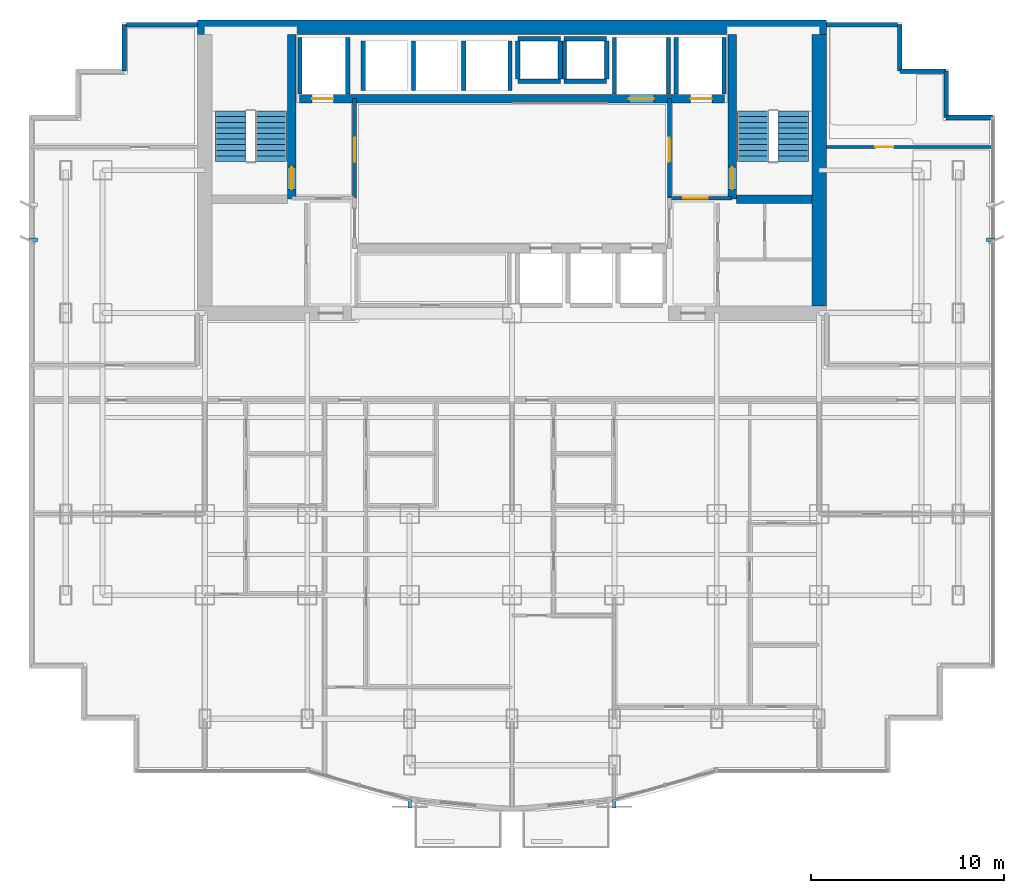
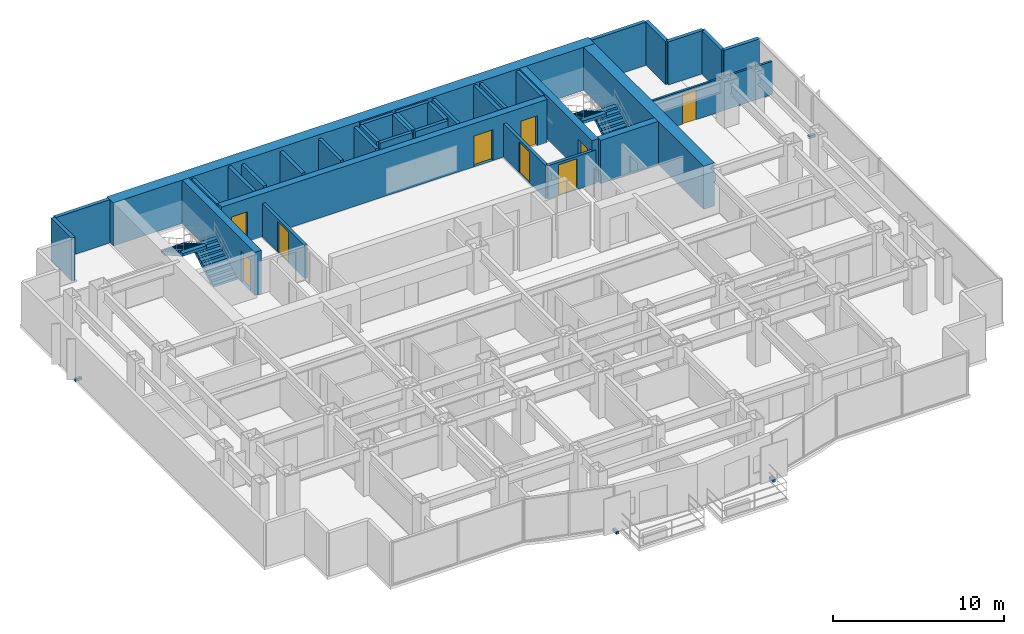
# One storey, part 9 of 12: 35 walls, 9 doors, 4 discrete accessories, 4 stair flights, 9 openings, 2 elements without a shape of their own.
"""IFC4 building model written with IfcOpenShell, lengths in metres."""

from ifc_helpers import new_model, si_unit, direction, frame, frame_2d, origin, origin_2d, place, context, subcontext, project, spatial, polyline, rectangle, outline, extrude, source, transform, mapped, material, layer, layer_set, type_object, element, fill, aggregate, save


model = new_model("IFC4")

# Units and contexts
model_context = context("Model", 3, precision=1e-05, world=origin(), true_north=direction((0.0, 1.0)))
body_context = subcontext(model_context, "Body", "Model", "MODEL_VIEW")
ifc_project = project(units=[si_unit("LENGTHUNIT", "METRE"), si_unit("AREAUNIT", "SQUARE_METRE"), si_unit("VOLUMEUNIT", "CUBIC_METRE"), si_unit("PLANEANGLEUNIT", "RADIAN"), si_unit("MASSUNIT", "GRAM", prefix="KILO")], contexts=[model_context])

# Site, building, storey
site_placement = place(None, origin())
site = spatial("IfcSite", under=ifc_project, at=site_placement, CompositionType="ELEMENT")
building_placement = place(site_placement, origin())
building = spatial("IfcBuilding", under=site, at=building_placement, Name="Qianlan Lanfeng Residences", CompositionType="ELEMENT")
storey_placement = place(building_placement, frame((0.0, 0.0, 85.0)))
storey = spatial("IfcBuildingStorey", under=building, at=storey_placement, Name="L22", CompositionType="ELEMENT", Elevation=85.0)

# Wall, opening, door
ifc_material_1 = material(Name="Concrete C60", Category="concrete")
ifc_layer_1 = layer(ifc_material_1, 0.449951171875)
ifc_layer_set_1 = layer_set([ifc_layer_1], Name="Concrete C60")
wall_type_1 = type_object("IfcWallType", Name="CW-RC-450", PredefinedType="SHEAR", material=ifc_layer_set_1)
wall_1_placement = place(storey_placement, frame((15.10009765625, 31.10009765625, 0.0), z_axis=(0.0, 0.0, 1.0), x_axis=(0.0, 1.0, 0.0)))
wall_1 = element("IfcWall", 1, at=wall_1_placement, inside=storey, type_object=wall_type_1, Name="L22 Core Shear Wall ST1E", PredefinedType="SHEAR", context=body_context, shape_type="SweptSolid", body=[
    extrude(rectangle(XDim=8.52490234375, YDim=0.449951171875, at=frame_2d((4.262451171875, 0.0))), origin(), (0.0, 0.0, 1.0), 3.090087890625),
])
opening_1_placement = place(wall_1_placement, frame((0.510009765625, 0.0, 0.0)))
opening_1 = element("IfcOpeningElement", 2, at=opening_1_placement, cuts=wall_1, Name="Opening L22-D07", PredefinedType="OPENING", context=body_context, shape_type="SweptSolid", body=[
    extrude(rectangle(XDim=1.14990234375, YDim=2.199951171875, at=frame_2d((0.574951171875, 1.10009765625))), frame((0.0, 0.23486328125, 0.0), z_axis=(0.0, -1.0, 0.0), x_axis=(1.0, 0.0, 0.0)), (0.0, 0.0, 1.0), 0.469970703125),
])
ifc_material_2 = material(Name="Painted Galvanised Steel Fire Door", Category="steel")
door_type_1 = type_object("IfcDoorType", Name="DT-ST1", OperationType="NOTDEFINED", PredefinedType="DOOR", material=ifc_material_2)
door_1_placement = place(opening_1_placement, frame((1.14990234375, 0.0, 0.0), z_axis=(0.0, 0.0, 1.0), x_axis=(-1.0, 0.0, 0.0)))
door_1 = element("IfcDoor", 3, at=door_1_placement, inside=storey, type_object=door_type_1, Name="L22 Exit Stair ST-1 Door L22-D07 (DT-ST1)", OperationType="SINGLE_SWING_RIGHT", OverallHeight=2.199951171875, OverallWidth=1.14990234375, PredefinedType="DOOR", context=body_context, shape_type="SweptSolid", body=[
    extrude(rectangle(XDim=1.14990234375, YDim=2.199951171875, at=frame_2d((0.574951171875, 1.10009765625))), frame((0.0, 0.02490234375, 0.0), z_axis=(0.0, -1.0, 0.0), x_axis=(1.0, 0.0, 0.0)), (0.0, 0.0, 1.0), 0.050048828125),
])
fill(opening_1, door_1)

wall_2_placement = place(storey_placement, frame((37.89990234375, 31.10009765625, 0.0), z_axis=(0.0, 0.0, 1.0), x_axis=(0.0, 1.0, 0.0)))
wall_2 = element("IfcWall", 4, at=wall_2_placement, inside=storey, type_object=wall_type_1, Name="L22 Core Shear Wall ST2W", PredefinedType="SHEAR", context=body_context, shape_type="SweptSolid", body=[
    extrude(rectangle(XDim=8.52490234375, YDim=0.449951171875, at=frame_2d((4.262451171875, 0.0))), origin(), (0.0, 0.0, 1.0), 3.090087890625),
])
opening_2_placement = place(wall_2_placement, frame((0.510009765625, 0.0, 0.0)))
opening_2 = element("IfcOpeningElement", 5, at=opening_2_placement, cuts=wall_2, Name="Opening L22-D08", PredefinedType="OPENING", context=body_context, shape_type="SweptSolid", body=[
    extrude(rectangle(XDim=1.14990234375, YDim=2.199951171875, at=frame_2d((0.574951171875, 1.10009765625))), frame((0.0, 0.23486328125, 0.0), z_axis=(0.0, -1.0, 0.0), x_axis=(1.0, 0.0, 0.0)), (0.0, 0.0, 1.0), 0.469970703125),
])
door_2_placement = place(opening_2_placement, origin())
door_2 = element("IfcDoor", 6, at=door_2_placement, inside=storey, type_object=door_type_1, Name="L22 Exit Stair ST-2 Door L22-D08 (DT-ST1)", OperationType="SINGLE_SWING_RIGHT", OverallHeight=2.199951171875, OverallWidth=1.14990234375, PredefinedType="DOOR", context=body_context, shape_type="SweptSolid", body=[
    extrude(rectangle(XDim=1.14990234375, YDim=2.199951171875, at=frame_2d((0.574951171875, 1.10009765625))), frame((0.0, 0.02490234375, 0.0), z_axis=(0.0, -1.0, 0.0), x_axis=(1.0, 0.0, 0.0)), (0.0, 0.0, 1.0), 0.050048828125),
])
fill(opening_2, door_2)

# Wall
wall_3_placement = place(storey_placement, frame((38.125, 31.10009765625, 0.0), z_axis=(0.0, 0.0, 1.0), x_axis=(1.0, 0.0, 0.0)))
element("IfcWall", 7, at=wall_3_placement, inside=storey, type_object=wall_type_1, Name="L22 Core Shear Wall ST2S", PredefinedType="SHEAR", context=body_context, shape_type="SweptSolid", body=[
    extrude(rectangle(XDim=3.89990234375, YDim=0.449951171875, at=frame_2d((1.949951171875, 0.0))), origin(), (0.0, 0.0, 1.0), 3.090087890625),
])

# Wall, openings, doors
wall_4_placement = place(storey_placement, frame((15.5, 36.300048828125, 0.0), z_axis=(0.0, 0.0, 1.0), x_axis=(1.0, 0.0, 0.0)))
wall_4 = element("IfcWall", 8, at=wall_4_placement, inside=storey, type_object=wall_type_1, Name="L22 Core Shear Wall LBN", PredefinedType="SHEAR", context=body_context, shape_type="SweptSolid", body=[
    extrude(rectangle(XDim=22.0, YDim=0.449951171875, at=frame_2d((11.0, 0.0))), origin(), (0.0, 0.0, 1.0), 3.090087890625),
])
opening_3_placement = place(wall_4_placement, frame((0.64990234375, 0.0, 0.0)))
opening_3 = element("IfcOpeningElement", 9, at=opening_3_placement, cuts=wall_4, Name="Opening L22-LD-FFL-1", PredefinedType="OPENING", context=body_context, shape_type="SweptSolid", body=[
    extrude(rectangle(XDim=1.10009765625, YDim=2.14990234375, at=frame_2d((0.550048828125, 1.074951171875))), frame((0.0, 0.23486328125, 0.0), z_axis=(0.0, -1.0, 0.0), x_axis=(1.0, 0.0, 0.0)), (0.0, 0.0, 1.0), 0.469970703125),
])
opening_4_placement = place(wall_4_placement, frame((20.25, 0.0, 0.0)))
opening_4 = element("IfcOpeningElement", 10, at=opening_4_placement, cuts=wall_4, Name="Opening L22-LD-FFL-2", PredefinedType="OPENING", context=body_context, shape_type="SweptSolid", body=[
    extrude(rectangle(XDim=1.10009765625, YDim=2.14990234375, at=frame_2d((0.550048828125, 1.074951171875))), frame((0.0, 0.23486328125, 0.0), z_axis=(0.0, -1.0, 0.0), x_axis=(1.0, 0.0, 0.0)), (0.0, 0.0, 1.0), 0.469970703125),
])
opening_5_placement = place(wall_4_placement, frame((17.050048828125, 0.0, 0.0)))
opening_5 = element("IfcOpeningElement", 11, at=opening_5_placement, cuts=wall_4, Name="Opening L22-LD-SVL-1", PredefinedType="OPENING", context=body_context, shape_type="SweptSolid", body=[
    extrude(rectangle(XDim=1.300048828125, YDim=2.199951171875, at=frame_2d((0.64990234375, 1.10009765625))), frame((0.0, 0.23486328125, 0.0), z_axis=(0.0, -1.0, 0.0), x_axis=(1.0, 0.0, 0.0)), (0.0, 0.0, 1.0), 0.469970703125),
])
ifc_material_3 = material(Name="Brushed Stainless Steel Sliding Lift Door", Category="steel")
door_type_2 = type_object("IfcDoorType", Name="LD-01", OperationType="NOTDEFINED", PredefinedType="DOOR", material=ifc_material_3)
door_3_placement = place(opening_3_placement, frame((1.10009765625, 0.0, 0.0), z_axis=(0.0, 0.0, 1.0), x_axis=(-1.0, 0.0, 0.0)))
door_3 = element("IfcDoor", 12, at=door_3_placement, inside=storey, type_object=door_type_2, Name="L22 Elevator FFL-1 Sliding Landing Door", OperationType="DOUBLE_DOOR_SLIDING", OverallHeight=2.14990234375, OverallWidth=1.10009765625, PredefinedType="DOOR", context=body_context, shape_type="SweptSolid", body=[
    extrude(rectangle(XDim=1.10009765625, YDim=2.14990234375, at=frame_2d((0.550048828125, 1.074951171875))), frame((0.0, 0.02490234375, 0.0), z_axis=(0.0, -1.0, 0.0), x_axis=(1.0, 0.0, 0.0)), (0.0, 0.0, 1.0), 0.050048828125),
])
fill(opening_3, door_3)
door_4_placement = place(opening_4_placement, frame((1.10009765625, 0.0, 0.0), z_axis=(0.0, 0.0, 1.0), x_axis=(-1.0, 0.0, 0.0)))
door_4 = element("IfcDoor", 13, at=door_4_placement, inside=storey, type_object=door_type_2, Name="L22 Elevator FFL-2 Sliding Landing Door", OperationType="DOUBLE_DOOR_SLIDING", OverallHeight=2.14990234375, OverallWidth=1.10009765625, PredefinedType="DOOR", context=body_context, shape_type="SweptSolid", body=[
    extrude(rectangle(XDim=1.10009765625, YDim=2.14990234375, at=frame_2d((0.550048828125, 1.074951171875))), frame((0.0, 0.02490234375, 0.0), z_axis=(0.0, -1.0, 0.0), x_axis=(1.0, 0.0, 0.0)), (0.0, 0.0, 1.0), 0.050048828125),
])
fill(opening_4, door_4)
door_type_3 = type_object("IfcDoorType", Name="LD-02", OperationType="NOTDEFINED", PredefinedType="DOOR", material=ifc_material_3)
door_5_placement = place(opening_5_placement, frame((1.300048828125, 0.0, 0.0), z_axis=(0.0, 0.0, 1.0), x_axis=(-1.0, 0.0, 0.0)))
door_5 = element("IfcDoor", 14, at=door_5_placement, inside=storey, type_object=door_type_3, Name="L22 Elevator SVL-1 Sliding Landing Door", OperationType="DOUBLE_DOOR_SLIDING", OverallHeight=2.199951171875, OverallWidth=1.300048828125, PredefinedType="DOOR", context=body_context, shape_type="SweptSolid", body=[
    extrude(rectangle(XDim=1.300048828125, YDim=2.199951171875, at=frame_2d((0.64990234375, 1.10009765625))), frame((0.0, 0.02490234375, 0.0), z_axis=(0.0, -1.0, 0.0), x_axis=(1.0, 0.0, 0.0)), (0.0, 0.0, 1.0), 0.050048828125),
])
fill(opening_5, door_5)

# Walls
ifc_layer_2 = layer(ifc_material_1, 0.75)
ifc_layer_set_2 = layer_set([ifc_layer_2], Name="Concrete C60")
wall_type_2 = type_object("IfcWallType", Name="CW-RC-750", PredefinedType="SHEAR", material=ifc_layer_set_2)
wall_5_placement = place(storey_placement, frame((10.22509765625, 40.0, 0.0), z_axis=(0.0, 0.0, 1.0), x_axis=(1.0, 0.0, 0.0)))
element("IfcWall", 15, at=wall_5_placement, inside=storey, type_object=wall_type_2, Name="L22 Core Shear Wall N", PredefinedType="SHEAR", context=body_context, shape_type="SweptSolid", body=[
    extrude(rectangle(XDim=32.5498046875, YDim=0.75, at=frame_2d((16.27490234375, 0.0))), origin(), (0.0, 0.0, 1.0), 3.090087890625),
])
wall_6_placement = place(storey_placement, frame((42.39990234375, 25.574951171875, 0.0), z_axis=(0.0, 0.0, 1.0), x_axis=(0.0, 1.0, 0.0)))
element("IfcWall", 16, at=wall_6_placement, inside=storey, type_object=wall_type_2, Name="L22 Core Shear Wall E", PredefinedType="SHEAR", context=body_context, shape_type="SweptSolid", body=[
    extrude(rectangle(XDim=14.050048828125, YDim=0.75, at=frame_2d((7.02490234375, 0.0))), origin(), (0.0, 0.0, 1.0), 3.090087890625),
])
ifc_material_4 = material(Name="Concrete C42", Category="concrete")
ifc_layer_3 = layer(ifc_material_4, 0.239990234375)
ifc_layer_set_3 = layer_set([ifc_layer_3], Name="Concrete C42")
wall_type_3 = type_object("IfcWallType", Name="EW-240", PredefinedType="SOLIDWALL", material=ifc_layer_set_3)
for number, where, z_axis, x_axis, name in (
    (17, (51.3798828125, 35.330078125, 0.0), (0.0, 0.0, 1.0), (-1.0, 0.0, 0.0), "L22 Exterior Facade Spandrel Wall 11"),
    (18, (48.97998046875, 35.330078125, 0.0), (0.0, 0.0, 1.0), (0.0, 1.0, 0.0), "L22 Exterior Facade Spandrel Wall 12"),
    (19, (48.97998046875, 37.72998046875, 0.0), (0.0, 0.0, 1.0), (-1.0, 0.0, 0.0), "L22 Exterior Facade Spandrel Wall 13"),
    (20, (46.580078125, 37.72998046875, 0.0), (0.0, 0.0, 1.0), (0.0, 1.0, 0.0), "L22 Exterior Facade Spandrel Wall 14"),
):
    element("IfcWall", number, at=place(storey_placement, frame(where, z_axis=z_axis, x_axis=x_axis)), inside=storey, type_object=wall_type_3, Name=name, PredefinedType="SOLIDWALL", context=body_context, shape_type="SweptSolid", body=[
        extrude(rectangle(XDim=2.39990234375, YDim=0.239990234375, at=frame_2d((1.199951171875, 0.0))), origin(), (0.0, 0.0, 1.0), 3.090087890625),
    ])
for number, where, z_axis, x_axis, name in (
    (21, (46.449951171875, 40.1298828125, 0.0), (0.0, 0.0, 1.0), (-1.0, 0.0, 0.0), "L22 North Wing Exterior Wall E"),
    (22, (10.22509765625, 40.1298828125, 0.0), (0.0, 0.0, 1.0), (-1.0, 0.0, 0.0), "L22 North Wing Exterior Wall W"),
):
    element("IfcWall", number, at=place(storey_placement, frame(where, z_axis=z_axis, x_axis=x_axis)), inside=storey, type_object=wall_type_3, Name=name, PredefinedType="SOLIDWALL", context=body_context, shape_type="SweptSolid", body=[
        extrude(rectangle(XDim=3.675048828125, YDim=0.239990234375, at=frame_2d((1.83740234375, 0.0))), origin(), (0.0, 0.0, 1.0), 3.090087890625),
    ])
wall_7_placement = place(storey_placement, frame((6.419921875, 40.1298828125, 0.0), z_axis=(0.0, 0.0, 1.0), x_axis=(0.0, -1.0, 0.0)))
element("IfcWall", 23, at=wall_7_placement, inside=storey, type_object=wall_type_3, Name="L22 Exterior Facade Spandrel Wall 17", PredefinedType="SOLIDWALL", context=body_context, shape_type="SweptSolid", body=[
    extrude(rectangle(XDim=2.39990234375, YDim=0.239990234375, at=frame_2d((1.199951171875, 0.0))), origin(), (0.0, 0.0, 1.0), 3.090087890625),
])

# Wall, opening, door
ifc_material_5 = material(Name="Moisture-Resistant Gypsum Partition 135 mm")
ifc_layer_4 = layer(ifc_material_5, 0.135009765625)
ifc_layer_set_4 = layer_set([ifc_layer_4], Name="Moisture-Resistant Gypsum Partition 135 mm")
wall_type_4 = type_object("IfcWallType", Name="PW-135", PredefinedType="PARTITIONING", material=ifc_layer_set_4)
wall_8_placement = place(storey_placement, frame((42.77490234375, 33.800048828125, 0.0), z_axis=(0.0, 0.0, 1.0), x_axis=(1.0, 0.0, 0.0)))
wall_8 = element("IfcWall", 24, at=wall_8_placement, inside=storey, type_object=wall_type_4, Name="L22 EW North Wing Wall", PredefinedType="PARTITIONING", context=body_context, shape_type="SweptSolid", body=[
    extrude(rectangle(XDim=8.60498046875, YDim=0.135009765625, at=frame_2d((4.302490234375, 0.0))), origin(), (0.0, 0.0, 1.0), 2.3798828125),
])
opening_6_placement = place(wall_8_placement, frame((2.5419921875, 0.0, 0.0)))
opening_6 = element("IfcOpeningElement", 25, at=opening_6_placement, cuts=wall_8, Name="Opening L22-D42", PredefinedType="OPENING", context=body_context, shape_type="SweptSolid", body=[
    extrude(rectangle(XDim=0.919921875, YDim=2.14990234375, at=frame_2d((0.4599609375, 1.074951171875))), frame((0.0, 0.07763671875, 0.0), z_axis=(0.0, -1.0, 0.0), x_axis=(1.0, 0.0, 0.0)), (0.0, 0.0, 1.0), 0.155029296875),
])
ifc_material_6 = material(Name="Glazed Timber Kitchen/Study Door", Category="wood")
door_type_4 = type_object("IfcDoorType", Name="DT-INT", OperationType="NOTDEFINED", PredefinedType="DOOR", material=ifc_material_6)
door_6_placement = place(opening_6_placement, origin())
door_6 = element("IfcDoor", 26, at=door_6_placement, inside=storey, type_object=door_type_4, Name="L22 EW Inner Salon Door L22-D42 (DT-INT)", OperationType="SINGLE_SWING_RIGHT", OverallHeight=2.14990234375, OverallWidth=0.919921875, PredefinedType="DOOR", context=body_context, shape_type="SweptSolid", body=[
    extrude(rectangle(XDim=0.919921875, YDim=2.14990234375, at=frame_2d((0.4599609375, 1.074951171875))), frame((0.0, 0.02490234375, 0.0), z_axis=(0.0, -1.0, 0.0), x_axis=(1.0, 0.0, 0.0)), (0.0, 0.0, 1.0), 0.050048828125),
])
fill(opening_6, door_6)

ifc_material_7 = material(Name="Autoclaved Aerated Concrete Blockwork 200 mm", Category="masonry")
ifc_layer_5 = layer(ifc_material_7, 0.199951171875)
ifc_layer_set_5 = layer_set([ifc_layer_5], Name="Autoclaved Aerated Concrete Blockwork 200 mm")
wall_type_5 = type_object("IfcWallType", Name="PW-200", PredefinedType="PARTITIONING", material=ifc_layer_set_5)
wall_9_placement = place(storey_placement, frame((18.35009765625, 31.14990234375, 0.0), z_axis=(0.0, 0.0, 1.0), x_axis=(0.0, 1.0, 0.0)))
wall_9 = element("IfcWall", 27, at=wall_9_placement, inside=storey, type_object=wall_type_5, Name="L22 Firefighting Lobby 1 East Wall", PredefinedType="PARTITIONING", context=body_context, shape_type="SweptSolid", body=[
    extrude(rectangle(XDim=5.150146484375, YDim=0.199951171875, at=frame_2d((2.5751953125, 0.0))), origin(), (0.0, 0.0, 1.0), 2.3798828125),
])
opening_7_placement = place(wall_9_placement, frame((1.875, 0.0, 0.0)))
opening_7 = element("IfcOpeningElement", 28, at=opening_7_placement, cuts=wall_9, Name="Opening L22-D04", PredefinedType="OPENING", context=body_context, shape_type="SweptSolid", body=[
    extrude(rectangle(XDim=1.25, YDim=2.199951171875, at=frame_2d((0.625, 1.10009765625))), frame((0.0, 0.10986328125, 0.0), z_axis=(0.0, -1.0, 0.0), x_axis=(1.0, 0.0, 0.0)), (0.0, 0.0, 1.0), 0.219970703125),
])
door_type_5 = type_object("IfcDoorType", Name="DT-FFL", OperationType="NOTDEFINED", PredefinedType="DOOR", material=ifc_material_2)
door_7_placement = place(opening_7_placement, origin())
door_7 = element("IfcDoor", 29, at=door_7_placement, inside=storey, type_object=door_type_5, Name="L22 Firefighting Lobby 1 Lift Lobby Door L22-D04 (DT-FFL)", OperationType="SINGLE_SWING_RIGHT", OverallHeight=2.199951171875, OverallWidth=1.25, PredefinedType="DOOR", context=body_context, shape_type="SweptSolid", body=[
    extrude(rectangle(XDim=1.25, YDim=2.199951171875, at=frame_2d((0.625, 1.10009765625))), frame((0.0, 0.02490234375, 0.0), z_axis=(0.0, -1.0, 0.0), x_axis=(1.0, 0.0, 0.0)), (0.0, 0.0, 1.0), 0.050048828125),
])
fill(opening_7, door_7)

wall_10_placement = place(storey_placement, frame((34.64990234375, 31.14990234375, 0.0), z_axis=(0.0, 0.0, 1.0), x_axis=(1.0, 0.0, 0.0)))
wall_10 = element("IfcWall", 30, at=wall_10_placement, inside=storey, type_object=wall_type_5, Name="L22 Firefighting Lobby 2 South Wall", PredefinedType="PARTITIONING", context=body_context, shape_type="SweptSolid", body=[
    extrude(rectangle(XDim=3.25, YDim=0.199951171875, at=frame_2d((1.625, 0.0))), origin(), (0.0, 0.0, 1.0), 2.3798828125),
])
opening_8_placement = place(wall_10_placement, frame((0.72509765625, 0.0, 0.0)))
opening_8 = element("IfcOpeningElement", 31, at=opening_8_placement, cuts=wall_10, Name="Opening L22-D05", PredefinedType="OPENING", context=body_context, shape_type="SweptSolid", body=[
    extrude(rectangle(XDim=1.25, YDim=2.199951171875, at=frame_2d((0.625, 1.10009765625))), frame((0.0, 0.10986328125, 0.0), z_axis=(0.0, -1.0, 0.0), x_axis=(1.0, 0.0, 0.0)), (0.0, 0.0, 1.0), 0.219970703125),
])
door_8_placement = place(opening_8_placement, origin())
door_8 = element("IfcDoor", 32, at=door_8_placement, inside=storey, type_object=door_type_5, Name="L22 Firefighting Lobby 2 Entry Door L22-D05 (DT-FFL)", OperationType="SINGLE_SWING_RIGHT", OverallHeight=2.199951171875, OverallWidth=1.25, PredefinedType="DOOR", context=body_context, shape_type="SweptSolid", body=[
    extrude(rectangle(XDim=1.25, YDim=2.199951171875, at=frame_2d((0.625, 1.10009765625))), frame((0.0, 0.02490234375, 0.0), z_axis=(0.0, -1.0, 0.0), x_axis=(1.0, 0.0, 0.0)), (0.0, 0.0, 1.0), 0.050048828125),
])
fill(opening_8, door_8)

wall_11_placement = place(storey_placement, frame((34.64990234375, 31.14990234375, 0.0), z_axis=(0.0, 0.0, 1.0), x_axis=(0.0, 1.0, 0.0)))
wall_11 = element("IfcWall", 33, at=wall_11_placement, inside=storey, type_object=wall_type_5, Name="L22 Firefighting Lobby 2 West Wall", PredefinedType="PARTITIONING", context=body_context, shape_type="SweptSolid", body=[
    extrude(rectangle(XDim=5.150146484375, YDim=0.199951171875, at=frame_2d((2.5751953125, 0.0))), origin(), (0.0, 0.0, 1.0), 2.3798828125),
])
opening_9_placement = place(wall_11_placement, frame((1.875, 0.0, 0.0)))
opening_9 = element("IfcOpeningElement", 34, at=opening_9_placement, cuts=wall_11, Name="Opening L22-D06", PredefinedType="OPENING", context=body_context, shape_type="SweptSolid", body=[
    extrude(rectangle(XDim=1.25, YDim=2.199951171875, at=frame_2d((0.625, 1.10009765625))), frame((0.0, 0.10986328125, 0.0), z_axis=(0.0, -1.0, 0.0), x_axis=(1.0, 0.0, 0.0)), (0.0, 0.0, 1.0), 0.219970703125),
])
door_9_placement = place(opening_9_placement, origin())
door_9 = element("IfcDoor", 35, at=door_9_placement, inside=storey, type_object=door_type_5, Name="L22 Firefighting Lobby 2 Lift Lobby Door L22-D06 (DT-FFL)", OperationType="SINGLE_SWING_RIGHT", OverallHeight=2.199951171875, OverallWidth=1.25, PredefinedType="DOOR", context=body_context, shape_type="SweptSolid", body=[
    extrude(rectangle(XDim=1.25, YDim=2.199951171875, at=frame_2d((0.625, 1.10009765625))), frame((0.0, 0.02490234375, 0.0), z_axis=(0.0, -1.0, 0.0), x_axis=(1.0, 0.0, 0.0)), (0.0, 0.0, 1.0), 0.050048828125),
])
fill(opening_9, door_9)

# Walls
ifc_material_8 = material(Name="Concrete C49", Category="concrete")
ifc_layer_6 = layer(ifc_material_8, 0.219970703125)
ifc_layer_set_6 = layer_set([ifc_layer_6], Name="Concrete C49")
wall_type_6 = type_object("IfcWallType", Name="SHW-220", PredefinedType="SOLIDWALL", material=ifc_layer_set_6)
for number, where, z_axis, x_axis, name in (
    (36, (15.52001953125, 36.550048828125, 0.0), (0.0, 0.0, 1.0), (0.0, 1.0, 0.0), "L22 Lift FFL-1 Shaft Wall W"),
    (37, (18.0, 36.550048828125, 0.0), (0.0, 0.0, 1.0), (0.0, 1.0, 0.0), "L22 Lift FFL-1 Shaft Wall E"),
    (38, (35.0, 36.550048828125, 0.0), (0.0, 0.0, 1.0), (0.0, 1.0, 0.0), "L22 Lift FFL-2 Shaft Wall W"),
    (39, (37.47998046875, 36.550048828125, 0.0), (0.0, 0.0, 1.0), (0.0, 1.0, 0.0), "L22 Lift FFL-2 Shaft Wall E"),
    (40, (31.800048828125, 36.550048828125, 0.0), (0.0, 0.0, 1.0), (0.0, 1.0, 0.0), "L22 Lift SVL-1 Shaft Wall W"),
    (41, (34.60009765625, 36.550048828125, 0.0), (0.0, 0.0, 1.0), (0.0, 1.0, 0.0), "L22 Lift SVL-1 Shaft Wall E"),
):
    element("IfcWall", number, at=place(storey_placement, frame(where, z_axis=z_axis, x_axis=x_axis)), inside=storey, type_object=wall_type_6, Name=name, PredefinedType="SOLIDWALL", context=body_context, shape_type="SweptSolid", body=[
        extrude(rectangle(XDim=2.929931640625, YDim=0.219970703125, at=frame_2d((1.46484375, 0.0))), origin(), (0.0, 0.0, 1.0), 3.090087890625),
    ])
for number, where, z_axis, x_axis, name in (
    (42, (18.800048828125, 36.719970703125, 0.0), (0.0, 0.0, 1.0), (0.0, 1.0, 0.0), "L22 Lift PL-H1 Shaft Wall W"),
    (43, (21.39990234375, 36.719970703125, 0.0), (0.0, 0.0, 1.0), (0.0, 1.0, 0.0), "L22 Lift PL-H2 Shaft Wall W"),
    (44, (24.0, 36.719970703125, 0.0), (0.0, 0.0, 1.0), (0.0, 1.0, 0.0), "L22 Lift PL-H3 Shaft Wall W"),
    (45, (26.39990234375, 36.719970703125, 0.0), (0.0, 0.0, 1.0), (0.0, 1.0, 0.0), "L22 Lift PL-H3 Shaft Wall E"),
):
    element("IfcWall", number, at=place(storey_placement, frame(where, z_axis=z_axis, x_axis=x_axis)), inside=storey, type_object=wall_type_6, Name=name, PredefinedType="SOLIDWALL", context=body_context, shape_type="SweptSolid", body=[
        extrude(rectangle(XDim=2.56005859375, YDim=0.219970703125, at=frame_2d((1.280029296875, 0.0))), origin(), (0.0, 0.0, 1.0), 3.090087890625),
    ])
for number, where, z_axis, x_axis, name in (
    (46, (26.800048828125, 37.31005859375, 0.0), (0.0, 0.0, 1.0), (0.0, 1.0, 0.0), "L22 MEP Riser MEP-R1 Shaft Wall W"),
    (47, (29.0, 37.31005859375, 0.0), (0.0, 0.0, 1.0), (0.0, 1.0, 0.0), "L22 MEP Riser MEP-R1 Shaft Wall E"),
):
    element("IfcWall", number, at=place(storey_placement, frame(where, z_axis=z_axis, x_axis=x_axis)), inside=storey, type_object=wall_type_6, Name=name, PredefinedType="SOLIDWALL", context=body_context, shape_type="SweptSolid", body=[
        extrude(rectangle(XDim=1.97998046875, YDim=0.219970703125, at=frame_2d((0.989990234375, 0.0))), origin(), (0.0, 0.0, 1.0), 3.090087890625),
    ])
for number, where, z_axis, x_axis, name in (
    (48, (26.800048828125, 39.39990234375, 0.0), (0.0, 0.0, 1.0), (1.0, 0.0, 0.0), "L22 MEP Riser MEP-R1 Shaft Wall N"),
    (49, (26.800048828125, 37.199951171875, 0.0), (0.0, 0.0, 1.0), (1.0, 0.0, 0.0), "L22 MEP Riser MEP-R1 Shaft Wall S"),
):
    element("IfcWall", number, at=place(storey_placement, frame(where, z_axis=z_axis, x_axis=x_axis)), inside=storey, type_object=wall_type_6, Name=name, PredefinedType="SOLIDWALL", context=body_context, shape_type="SweptSolid", body=[
        extrude(rectangle(XDim=2.199951171875, YDim=0.219970703125, at=frame_2d((1.10009765625, 0.0))), origin(), (0.0, 0.0, 1.0), 3.090087890625),
    ])
for number, where, z_axis, x_axis, name in (
    (50, (29.199951171875, 37.31005859375, 0.0), (0.0, 0.0, 1.0), (0.0, 1.0, 0.0), "L22 MEP Riser MEP-R2 Shaft Wall W"),
    (51, (31.39990234375, 37.31005859375, 0.0), (0.0, 0.0, 1.0), (0.0, 1.0, 0.0), "L22 MEP Riser MEP-R2 Shaft Wall E"),
):
    element("IfcWall", number, at=place(storey_placement, frame(where, z_axis=z_axis, x_axis=x_axis)), inside=storey, type_object=wall_type_6, Name=name, PredefinedType="SOLIDWALL", context=body_context, shape_type="SweptSolid", body=[
        extrude(rectangle(XDim=1.97998046875, YDim=0.219970703125, at=frame_2d((0.989990234375, 0.0))), origin(), (0.0, 0.0, 1.0), 3.090087890625),
    ])
for number, where, z_axis, x_axis, name in (
    (52, (29.199951171875, 39.39990234375, 0.0), (0.0, 0.0, 1.0), (1.0, 0.0, 0.0), "L22 MEP Riser MEP-R2 Shaft Wall N"),
    (53, (29.199951171875, 37.199951171875, 0.0), (0.0, 0.0, 1.0), (1.0, 0.0, 0.0), "L22 MEP Riser MEP-R2 Shaft Wall S"),
):
    element("IfcWall", number, at=place(storey_placement, frame(where, z_axis=z_axis, x_axis=x_axis)), inside=storey, type_object=wall_type_6, Name=name, PredefinedType="SOLIDWALL", context=body_context, shape_type="SweptSolid", body=[
        extrude(rectangle(XDim=2.199951171875, YDim=0.219970703125, at=frame_2d((1.10009765625, 0.0))), origin(), (0.0, 0.0, 1.0), 3.090087890625),
    ])

# Stair, stair flights
stair_type = type_object("IfcStairType", Name="STR-MAIN", PredefinedType="HALF_TURN_STAIR", material=ifc_material_4)
stair_1_placement = place(storey_placement, origin())
stair_1 = element("IfcStair", 54, at=stair_1_placement, inside=storey, type_object=stair_type, Name="L22 Exit Stair ST-1", PredefinedType="HALF_TURN_STAIR")
stair_flight_type = type_object("IfcStairFlightType", Name="FLT-1720", PredefinedType="STRAIGHT", material=ifc_material_4)
stair_flight_1_placement = place(storey_placement, frame((14.02001953125, 33.050048828125, 0.0), z_axis=(0.0, 0.0, 1.0), x_axis=(0.0, 1.0, 0.0)))
stair_flight_1 = element("IfcStairFlight", 55, at=stair_flight_1_placement, type_object=stair_flight_type, Name="ST-1 flight 1", NumberOfRisers=10, NumberOfTreads=9, PredefinedType="STRAIGHT", RiserHeight=0.165, TreadLength=0.29, context=body_context, shape_type="SweptSolid", body=[
    extrude(outline(polyline([(0.0, 0.0), (0.0, 0.1650390625), (0.2900390625, 0.1650390625), (0.2900390625, 0.330078125), (0.580078125, 0.330078125), (0.580078125, 0.4951171875), (0.8701171875, 0.4951171875), (0.8701171875, 0.659912109375), (1.159912109375, 0.659912109375), (1.159912109375, 0.824951171875), (1.449951171875, 0.824951171875), (1.449951171875, 0.989990234375), (1.739990234375, 0.989990234375), (1.739990234375, 1.155029296875), (2.030029296875, 1.155029296875), (2.030029296875, 1.320068359375), (2.320068359375, 1.320068359375), (2.320068359375, 1.485107421875), (2.610107421875, 1.485107421875), (2.610107421875, 1.64990234375), (2.610107421875, 1.278076171875), (0.36376953125, 0.0), (0.0, 0.0)])), frame((0.0, 0.800048828125, 0.0), z_axis=(0.0, -1.0, 0.0), x_axis=(1.0, 0.0, 0.0)), (0.0, 0.0, 1.0), 1.60009765625),
])
stair_flight_2_placement = place(storey_placement, frame((11.93994140625, 35.659912109375, 1.64990234375), z_axis=(0.0, 0.0, 1.0), x_axis=(0.0, -1.0, 0.0)))
stair_flight_2 = element("IfcStairFlight", 56, at=stair_flight_2_placement, type_object=stair_flight_type, Name="ST-1 flight 2", NumberOfRisers=10, NumberOfTreads=9, PredefinedType="STRAIGHT", RiserHeight=0.165, TreadLength=0.29, context=body_context, shape_type="SweptSolid", body=[
    extrude(outline(polyline([(0.0, 0.0), (0.0, 0.1650390625), (0.2900390625, 0.1650390625), (0.2900390625, 0.330078125), (0.580078125, 0.330078125), (0.580078125, 0.4951171875), (0.8701171875, 0.4951171875), (0.8701171875, 0.659912109375), (1.159912109375, 0.659912109375), (1.159912109375, 0.824951171875), (1.449951171875, 0.824951171875), (1.449951171875, 0.989990234375), (1.739990234375, 0.989990234375), (1.739990234375, 1.155029296875), (2.030029296875, 1.155029296875), (2.030029296875, 1.320068359375), (2.320068359375, 1.320068359375), (2.320068359375, 1.485107421875), (2.610107421875, 1.485107421875), (2.610107421875, 1.64990234375), (2.610107421875, 1.278076171875), (0.36376953125, 0.0), (0.0, 0.0)])), frame((0.0, 0.800048828125, 0.0), z_axis=(0.0, -1.0, 0.0), x_axis=(1.0, 0.0, 0.0)), (0.0, 0.0, 1.0), 1.60009765625),
])
aggregate(stair_1, [stair_flight_1, stair_flight_2])

stair_2_placement = place(storey_placement, origin())
stair_2 = element("IfcStair", 57, at=stair_2_placement, inside=storey, type_object=stair_type, Name="L22 Exit Stair ST-2", PredefinedType="HALF_TURN_STAIR")
stair_flight_3_placement = place(storey_placement, frame((41.06005859375, 33.050048828125, 0.0), z_axis=(0.0, 0.0, 1.0), x_axis=(0.0, 1.0, 0.0)))
stair_flight_3 = element("IfcStairFlight", 58, at=stair_flight_3_placement, type_object=stair_flight_type, Name="ST-2 flight 1", NumberOfRisers=10, NumberOfTreads=9, PredefinedType="STRAIGHT", RiserHeight=0.165, TreadLength=0.29, context=body_context, shape_type="SweptSolid", body=[
    extrude(outline(polyline([(0.0, 0.0), (0.0, 0.1650390625), (0.2900390625, 0.1650390625), (0.2900390625, 0.330078125), (0.580078125, 0.330078125), (0.580078125, 0.4951171875), (0.8701171875, 0.4951171875), (0.8701171875, 0.659912109375), (1.159912109375, 0.659912109375), (1.159912109375, 0.824951171875), (1.449951171875, 0.824951171875), (1.449951171875, 0.989990234375), (1.739990234375, 0.989990234375), (1.739990234375, 1.155029296875), (2.030029296875, 1.155029296875), (2.030029296875, 1.320068359375), (2.320068359375, 1.320068359375), (2.320068359375, 1.485107421875), (2.610107421875, 1.485107421875), (2.610107421875, 1.64990234375), (2.610107421875, 1.278076171875), (0.36376953125, 0.0), (0.0, 0.0)])), frame((0.0, 0.800048828125, 0.0), z_axis=(0.0, -1.0, 0.0), x_axis=(1.0, 0.0, 0.0)), (0.0, 0.0, 1.0), 1.60009765625),
])
stair_flight_4_placement = place(storey_placement, frame((38.97998046875, 35.659912109375, 1.64990234375), z_axis=(0.0, 0.0, 1.0), x_axis=(0.0, -1.0, 0.0)))
stair_flight_4 = element("IfcStairFlight", 59, at=stair_flight_4_placement, type_object=stair_flight_type, Name="ST-2 flight 2", NumberOfRisers=10, NumberOfTreads=9, PredefinedType="STRAIGHT", RiserHeight=0.165, TreadLength=0.29, context=body_context, shape_type="SweptSolid", body=[
    extrude(outline(polyline([(0.0, 0.0), (0.0, 0.1650390625), (0.2900390625, 0.1650390625), (0.2900390625, 0.330078125), (0.580078125, 0.330078125), (0.580078125, 0.4951171875), (0.8701171875, 0.4951171875), (0.8701171875, 0.659912109375), (1.159912109375, 0.659912109375), (1.159912109375, 0.824951171875), (1.449951171875, 0.824951171875), (1.449951171875, 0.989990234375), (1.739990234375, 0.989990234375), (1.739990234375, 1.155029296875), (2.030029296875, 1.155029296875), (2.030029296875, 1.320068359375), (2.320068359375, 1.320068359375), (2.320068359375, 1.485107421875), (2.610107421875, 1.485107421875), (2.610107421875, 1.64990234375), (2.610107421875, 1.278076171875), (0.36376953125, 0.0), (0.0, 0.0)])), frame((0.0, 0.800048828125, 0.0), z_axis=(0.0, -1.0, 0.0), x_axis=(1.0, 0.0, 0.0)), (0.0, 0.0, 1.0), 1.60009765625),
])
aggregate(stair_2, [stair_flight_3, stair_flight_4])

# Discrete accessories
ifc_material_9 = material(Name="Stainless Steel Facade Bracket", Category="steel")
discrete_accessory_type = type_object("IfcDiscreteAccessoryType", Name="BRK-SS-350", PredefinedType="BRACKET", material=ifc_material_9)
shared_shape_1 = source(origin(), body_context, "Body", "SweptSolid", [
    extrude(rectangle(XDim=0.179931640625, YDim=0.449951171875, at=origin_2d()), origin(), (0.0, 0.0, 1.0), 0.179931640625),
])
for number, where, z_axis, x_axis, name in (
    (60, (21.199951171875, -0.199951171875, -0.14990234375), (0.0, 0.0, 1.0), (1.0, 0.0, 0.0), "L22 Solar Screen Support Bracket 1"),
    (61, (31.800048828125, -0.199951171875, -0.14990234375), (0.0, 0.0, 1.0), (1.0, 0.0, 0.0), "L22 Solar Screen Support Bracket 2"),
):
    element("IfcDiscreteAccessory", number, at=place(storey_placement, frame(where, z_axis=z_axis, x_axis=x_axis)), inside=storey, type_object=discrete_accessory_type, Name=name, PredefinedType="BRACKET", context=body_context, shape_type="MappedRepresentation", body=[
        mapped(shared_shape_1, transform((0.0, 0.0, 0.0), scale=1.0)),
    ])
shared_shape_2 = source(origin(), body_context, "Body", "SweptSolid", [
    extrude(rectangle(XDim=0.449951171875, YDim=0.179931640625, at=origin_2d()), origin(), (0.0, 0.0, 1.0), 0.179931640625),
])
for number, where, z_axis, x_axis, name in (
    (62, (1.699951171875, 29.0, -0.14990234375), (0.0, 0.0, 1.0), (1.0, 0.0, 0.0), "L22 Raked Solar Fin Support Bracket W1"),
    (63, (51.300048828125, 29.0, -0.14990234375), (0.0, 0.0, 1.0), (1.0, 0.0, 0.0), "L22 Raked Solar Fin Support Bracket E1"),
):
    element("IfcDiscreteAccessory", number, at=place(storey_placement, frame(where, z_axis=z_axis, x_axis=x_axis)), inside=storey, type_object=discrete_accessory_type, Name=name, PredefinedType="BRACKET", context=body_context, shape_type="MappedRepresentation", body=[
        mapped(shared_shape_2, transform((0.0, 0.0, 0.0), scale=1.0)),
    ])

save(model, "model.ifc")
